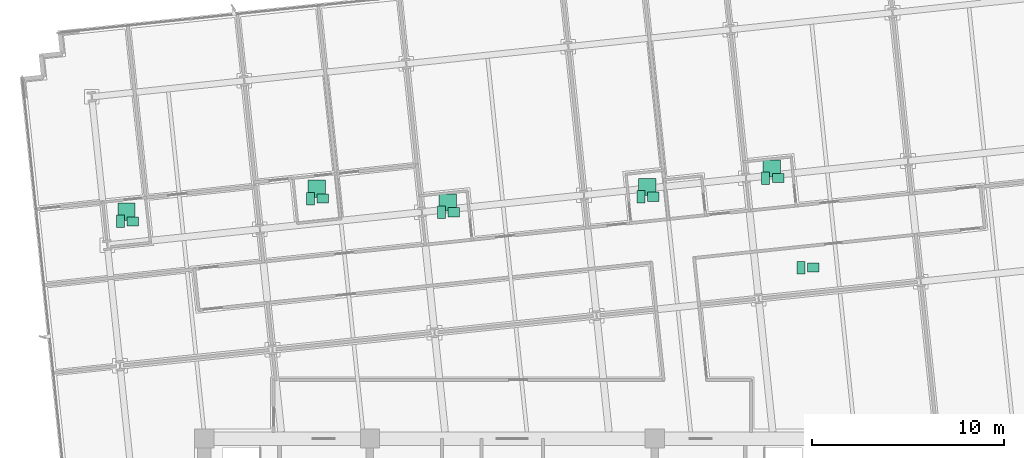
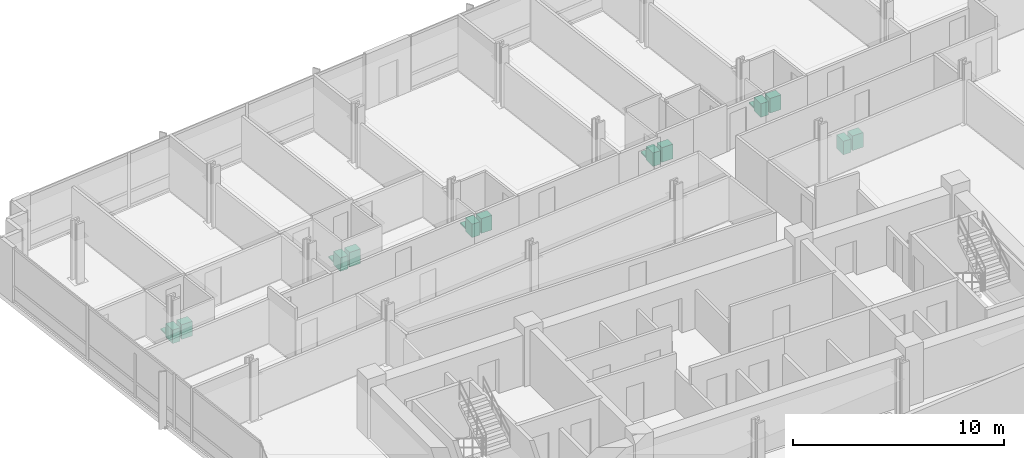
# One storey, part 18 of 18: 17 sanitary terminals.
"""IFC4 building model written with IfcOpenShell, lengths in metres."""

import ifcopenshell
import ifcopenshell.guid

model = None  # the IFC model being written
_history = None  # IfcOwnerHistory: only IFC2X3 demands one
_inside = {}  # id of a spatial element -> (the spatial element, [elements in it])
_under = {}  # id of a project, library or spatial element -> (it, [spatial elements below it])
_declared = {}  # id of a project -> (the project, [libraries it declares])
_typed = {}  # id of a type object -> (the type object, [elements of that type])
_made_of = {}  # id of a material, layer set ... -> (it, [elements and type objects made of it])


def new_model(schema):
    """Start an empty IFC model of exactly this schema.

    Asked for "IFC4X3", IfcOpenShell would pick the latest addendum, in which some entities
    have other attributes; the version numbers below select the first issue.
    IFC2X3 requires an IfcOwnerHistory on every rooted entity: one is made here for all.
    """
    global model, _history
    if schema == "IFC4X3":
        model = ifcopenshell.file(schema_version=(4, 3, 0, 0))
    else:
        model = ifcopenshell.file(schema=schema)
    _inside.clear()
    _under.clear()
    _declared.clear()
    _typed.clear()
    _made_of.clear()
    _history = None
    if model.schema == "IFC2X3":
        org = make("IfcOrganization", Name="unknown")
        user = make(
            "IfcPersonAndOrganization",
            ThePerson=make("IfcPerson", FamilyName="unknown"),
            TheOrganization=org,
        )
        app = make(
            "IfcApplication",
            ApplicationDeveloper=org,
            Version="unknown",
            ApplicationFullName="unknown",
            ApplicationIdentifier="unknown",
        )
        _history = make(
            "IfcOwnerHistory",
            OwningUser=user,
            OwningApplication=app,
            ChangeAction="ADDED",
            CreationDate=0,
        )
    return model


def make(cls, **values):
    """One entity of the class cls with the attributes given. An attribute that is None is left unset."""
    return model.create_entity(
        cls, **{name: value for name, value in values.items() if value is not None}
    )


def rooted(cls, **values):
    """An entity with a GlobalId (a new one), such as an element, a storey or a relation."""
    return make(cls, GlobalId=ifcopenshell.guid.new(), OwnerHistory=_history, **values)


def si_unit(unit_type, name, prefix=None):
    """IfcSIUnit, for example si_unit("LENGTHUNIT", "METRE", prefix="MILLI")."""
    return make("IfcSIUnit", UnitType=unit_type, Prefix=prefix, Name=name)


def assignment(units):
    """IfcUnitAssignment: the units of a project."""
    return None if units is None else make("IfcUnitAssignment", Units=units)


def point(xyz):
    """IfcCartesianPoint."""
    return None if xyz is None else make("IfcCartesianPoint", Coordinates=xyz)


def direction(xyz):
    """IfcDirection."""
    return None if xyz is None else make("IfcDirection", DirectionRatios=xyz)


def frame(location, z_axis=None, x_axis=None):
    """IfcAxis2Placement3D, a coordinate frame: its origin and axes. An axis left out is left unset."""
    return make(
        "IfcAxis2Placement3D",
        Location=point(location),
        Axis=direction(z_axis),
        RefDirection=direction(x_axis),
    )


def frame_2d(location, x_axis=None):
    """IfcAxis2Placement2D, a coordinate frame in the plane: its origin and x axis."""
    return make(
        "IfcAxis2Placement2D", Location=point(location), RefDirection=direction(x_axis)
    )


def origin():
    """The frame at (0, 0, 0) with its axes left unset."""
    return frame((0.0, 0.0, 0.0))


def origin_2d():
    """The frame at (0, 0) in the plane with its x axis left unset."""
    return frame_2d((0.0, 0.0))


def place(relative_to, where):
    """IfcLocalPlacement: puts the frame where relative to a parent placement (None: the world)."""
    return make(
        "IfcLocalPlacement", PlacementRelTo=relative_to, RelativePlacement=where
    )


def context(
    kind, dimensions, precision=None, world=None, true_north=None, identifier=None
):
    """IfcGeometricRepresentationContext, for example the 3D "Model" context."""
    return make(
        "IfcGeometricRepresentationContext",
        ContextIdentifier=identifier,
        ContextType=kind,
        CoordinateSpaceDimension=dimensions,
        Precision=precision,
        WorldCoordinateSystem=world,
        TrueNorth=true_north,
    )


def subcontext(parent, identifier, kind, view, scale=None):
    """IfcGeometricRepresentationSubContext, for example "Body" below "Model"."""
    return make(
        "IfcGeometricRepresentationSubContext",
        ContextIdentifier=identifier,
        ContextType=kind,
        ParentContext=parent,
        TargetScale=scale,
        TargetView=view,
    )


def project(units=None, contexts=None):
    """IfcProject with its units and contexts."""
    return rooted(
        "IfcProject",
        Name="project",
        RepresentationContexts=contexts,
        UnitsInContext=assignment(units),
    )


def spatial(cls, under=None, at=None, **own):
    """A site, building, storey or space (cls), placed at a placement, below another one or the project."""
    s = rooted(cls, ObjectPlacement=at, **own)
    if under is not None:
        _under.setdefault(under.id(), (under, []))[1].append(s)
    return s


def profile(cls, at=None, kind="AREA", **sizes):
    """A parametric profile (cls). Its sizes go by their IFC names, for example OverallWidth=200.0."""
    return make(cls, ProfileType=kind, Position=at, **sizes)


def rectangle(**sizes):
    """IfcRectangleProfileDef."""
    return profile("IfcRectangleProfileDef", **sizes)


def extrude(swept, where, along, depth):
    """IfcExtrudedAreaSolid: the profile swept, set in the frame where, extruded along a direction by depth."""
    return make(
        "IfcExtrudedAreaSolid",
        SweptArea=swept,
        Position=where,
        ExtrudedDirection=direction(along),
        Depth=depth,
    )


def shape(context_of_items, identifier, shape_type, items):
    """IfcShapeRepresentation: the items that make up one representation, for example the "Body"."""
    return make(
        "IfcShapeRepresentation",
        ContextOfItems=context_of_items,
        RepresentationIdentifier=identifier,
        RepresentationType=shape_type,
        Items=items,
    )


def material(Name=None, Category=None):
    """IfcMaterial."""
    return make("IfcMaterial", Name=Name, Category=Category)


def made_of(thing, what):
    """Note that an element or type object is made of a material, layer set ...; save() writes the relation."""
    if what is not None:
        _made_of.setdefault(what.id(), (what, []))[1].append(thing)
    return thing


def type_object(cls, material=None, **own):
    """A type object (cls), such as IfcWallType, which elements share."""
    return made_of(rooted(cls, **own), material)


def element(
    cls,
    number,
    at=None,
    inside=None,
    cuts=None,
    type_object=None,
    material=None,
    context=None,
    identifier="Body",
    shape_type=None,
    held_by="IfcProductDefinitionShape",
    body=None,
    shapes=None,
    **own,
):
    """One element of the class cls, such as IfcWall. Its Tag is "e" and its number.

    at: its placement. inside: the storey or other place that contains it. cuts: it is an
    opening in that element (IfcRelVoidsElement). A single representation is given by context,
    identifier, shape_type and body (its items); several are given by shapes. held_by: the class
    of the entity that holds the representations. save() writes the other relations.
    """
    e = rooted(cls, Tag="e%d" % number, ObjectPlacement=at, **own)
    if body is not None:
        shapes = [shape(context, identifier, shape_type, body)]
    if shapes is not None:
        e.Representation = make(held_by, Representations=shapes)
    if inside is not None:
        _inside.setdefault(inside.id(), (inside, []))[1].append(e)
    if cuts is not None:
        rooted(
            "IfcRelVoidsElement", RelatingBuildingElement=cuts, RelatedOpeningElement=e
        )
    if type_object is not None:
        _typed.setdefault(type_object.id(), (type_object, []))[1].append(e)
    return made_of(e, material)


def aggregate(whole, parts):
    """IfcRelAggregates: a whole, such as a stair, and the parts it consists of."""
    return rooted("IfcRelAggregates", RelatingObject=whole, RelatedObjects=parts)


def save(model, path):
    """Write the relations noted so far, then the file.

    IfcRelAggregates (storeys below a building ...), IfcRelContainedInSpatialStructure (elements
    in a storey), IfcRelDefinesByType, IfcRelAssociatesMaterial and IfcRelDeclares: one each for
    every whole, place, type object, material and project.
    """
    for whole, parts in _under.values():
        aggregate(whole, parts)
    for where, things in _inside.values():
        rooted(
            "IfcRelContainedInSpatialStructure",
            RelatedElements=things,
            RelatingStructure=where,
        )
    for kind, things in _typed.values():
        rooted("IfcRelDefinesByType", RelatedObjects=things, RelatingType=kind)
    for what, things in _made_of.values():
        rooted("IfcRelAssociatesMaterial", RelatedObjects=things, RelatingMaterial=what)
    for by, libraries in _declared.values():
        rooted("IfcRelDeclares", RelatingContext=by, RelatedDefinitions=libraries)
    model.write(path)


model = new_model("IFC4")

# Units and contexts
model_context = context("Model", 3, precision=1e-05, world=origin(), true_north=direction((0.0, 1.0)))
body_context = subcontext(model_context, "Body", "Model", "MODEL_VIEW")
ifc_project = project(units=[si_unit("LENGTHUNIT", "METRE"), si_unit("AREAUNIT", "SQUARE_METRE"), si_unit("VOLUMEUNIT", "CUBIC_METRE"), si_unit("PLANEANGLEUNIT", "RADIAN"), si_unit("MASSUNIT", "GRAM", prefix="KILO")], contexts=[model_context])

# Site, building, storey
site_placement = place(None, origin())
site = spatial("IfcSite", under=ifc_project, at=site_placement, CompositionType="ELEMENT")
building_placement = place(site_placement, origin())
building = spatial("IfcBuilding", under=site, at=building_placement, Name="Solmavex Isthmus Hotel", CompositionType="ELEMENT")
storey_placement = place(building_placement, frame((0.0, 0.0, 120.14990234375)))
storey = spatial("IfcBuildingStorey", under=building, at=storey_placement, Name="L32", CompositionType="ELEMENT", Elevation=120.14990234375)

# Sanitary terminals
ifc_material = material(Name="Vitreous china ceramic", Category="ceramic")
sanitary_terminal_type_1 = type_object("IfcSanitaryTerminalType", Name="SAN-BASIN", PredefinedType="WASHHANDBASIN", material=ifc_material)
for number, where, z_axis, x_axis, name in (
    (1, (-19.72607421875, 8.784423828125, 0.0), (0.0, 0.0, 1.0), (1.0, 0.0, 0.0), "Vanity Washbasin L32-147"),
    (2, (-9.83935546875, 9.97509765625, 0.0), (0.0, 0.0, 1.0), (1.0, 0.0, 0.0), "Vanity Washbasin L32-148"),
    (3, (-3.033447265625, 9.26708984375, 0.0), (0.0, 0.0, 1.0), (1.0, 0.0, 0.0), "Vanity Washbasin L32-149"),
    (4, (7.327880859375, 10.072021484375, 0.0), (0.0, 0.0, 1.0), (1.0, 0.0, 0.0), "Vanity Washbasin L32-150"),
    (5, (13.805908203125, 11.036865234375, 0.0), (0.0, 0.0, 1.0), (1.0, 0.0, 0.0), "Vanity Washbasin L32-151"),
    (6, (15.6416015625, 6.38818359375, 0.0), (0.0, 0.0, 1.0), (1.0, 0.0, 0.0), "Vanity Washbasin L32-152"),
):
    element("IfcSanitaryTerminal", number, at=place(storey_placement, frame(where, z_axis=z_axis, x_axis=x_axis)), inside=storey, type_object=sanitary_terminal_type_1, Name=name, PredefinedType="WASHHANDBASIN", context=body_context, shape_type="SweptSolid", body=[
        extrude(rectangle(XDim=0.60009765625, YDim=0.47998046875, at=origin_2d()), origin(), (0.0, 0.0, 1.0), 0.85009765625),
    ])
sanitary_terminal_type_2 = type_object("IfcSanitaryTerminalType", Name="SAN-SHOWER", PredefinedType="SHOWER", material=ifc_material)
for number, where, z_axis, x_axis, name in (
    (7, (-20.046142578125, 9.284423828125, 0.0), (0.0, 0.0, 1.0), (1.0, 0.0, 0.0), "Walk-In Shower L32-147"),
    (8, (-10.159423828125, 10.47509765625, 0.0), (0.0, 0.0, 1.0), (1.0, 0.0, 0.0), "Walk-In Shower L32-148"),
    (9, (-3.353515625, 9.76708984375, 0.0), (0.0, 0.0, 1.0), (1.0, 0.0, 0.0), "Walk-In Shower L32-149"),
    (10, (7.0078125, 10.572021484375, 0.0), (0.0, 0.0, 1.0), (1.0, 0.0, 0.0), "Walk-In Shower L32-150"),
    (11, (13.48583984375, 11.536865234375, 0.0), (0.0, 0.0, 1.0), (1.0, 0.0, 0.0), "Walk-In Shower L32-151"),
):
    element("IfcSanitaryTerminal", number, at=place(storey_placement, frame(where, z_axis=z_axis, x_axis=x_axis)), inside=storey, type_object=sanitary_terminal_type_2, Name=name, PredefinedType="SHOWER", context=body_context, shape_type="SweptSolid", body=[
        extrude(rectangle(XDim=0.89990234375, YDim=0.89990234375, at=origin_2d()), origin(), (0.0, 0.0, 1.0), 0.080078125),
    ])
sanitary_terminal_type_3 = type_object("IfcSanitaryTerminalType", Name="SAN-WC-SUITE", PredefinedType="TOILETPAN", material=ifc_material)
for number, where, z_axis, x_axis, name in (
    (12, (-20.3662109375, 8.784423828125, 0.0), (0.0, 0.0, 1.0), (1.0, 0.0, 0.0), "Water Closet L32-147"),
    (13, (-10.4794921875, 9.97509765625, 0.0), (0.0, 0.0, 1.0), (1.0, 0.0, 0.0), "Water Closet L32-148"),
    (14, (-3.67333984375, 9.26708984375, 0.0), (0.0, 0.0, 1.0), (1.0, 0.0, 0.0), "Water Closet L32-149"),
    (15, (6.68798828125, 10.072021484375, 0.0), (0.0, 0.0, 1.0), (1.0, 0.0, 0.0), "Water Closet L32-150"),
    (16, (13.165771484375, 11.036865234375, 0.0), (0.0, 0.0, 1.0), (1.0, 0.0, 0.0), "Water Closet L32-151"),
    (17, (15.001708984375, 6.38818359375, 0.0), (0.0, 0.0, 1.0), (1.0, 0.0, 0.0), "Water Closet L32-152"),
):
    element("IfcSanitaryTerminal", number, at=place(storey_placement, frame(where, z_axis=z_axis, x_axis=x_axis)), inside=storey, type_object=sanitary_terminal_type_3, Name=name, PredefinedType="TOILETPAN", context=body_context, shape_type="SweptSolid", body=[
        extrude(rectangle(XDim=0.419921875, YDim=0.64990234375, at=origin_2d()), origin(), (0.0, 0.0, 1.0), 0.780029296875),
    ])

save(model, "model.ifc")
